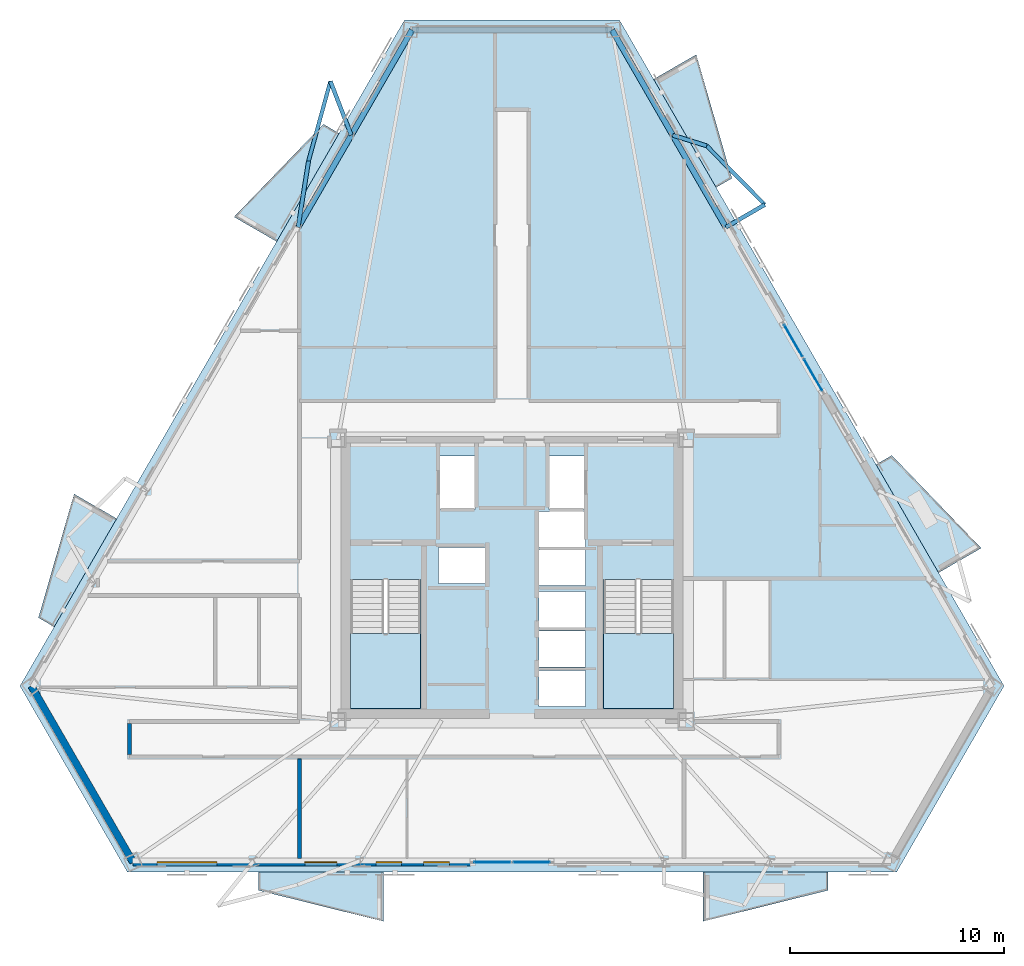
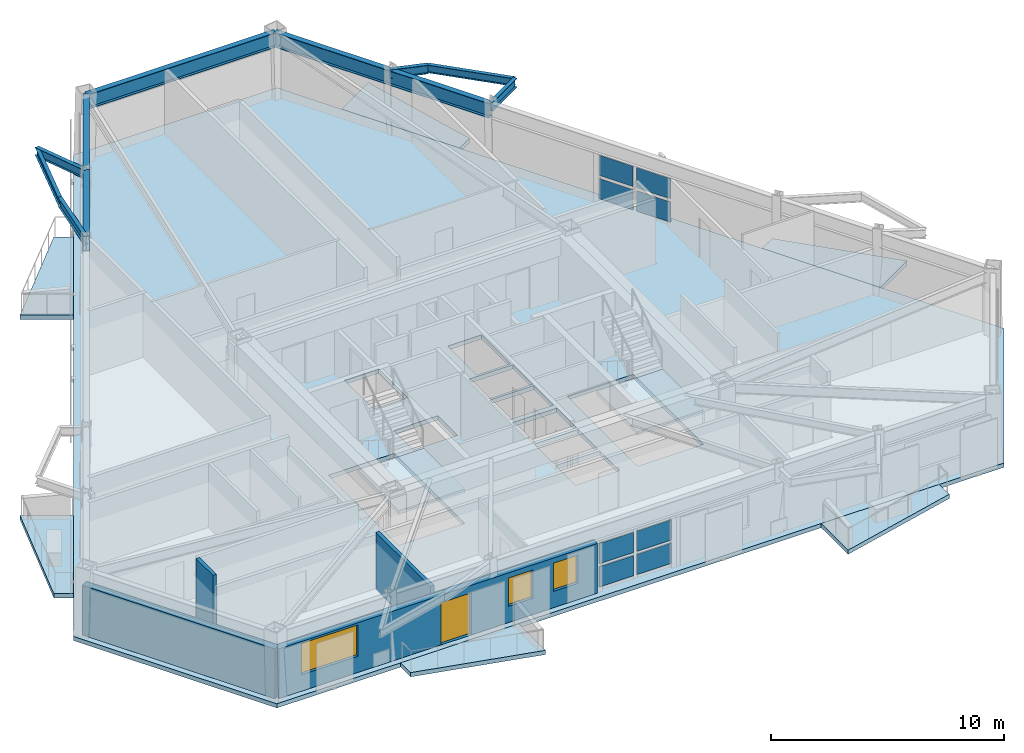
# One storey, part 6 of 14: 11 beams, 9 slabs, 8 plates, 4 walls, 3 windows, 1 door, 4 openings, 4 elements without a shape of their own.
"""IFC4 building model written with IfcOpenShell, lengths in metres."""

from ifc_helpers import new_model, si_unit, direction, frame, frame_2d, origin, origin_2d, place, context, subcontext, project, spatial, polyline, rectangle, i_section, outline, extrude, material, layer, layer_set, material_profile, profile_set, type_object, element, fill, aggregate, save


model = new_model("IFC4")

# Units and contexts
model_context = context("Model", 3, precision=1e-05, world=origin(), true_north=direction((0.0, 1.0)))
body_context = subcontext(model_context, "Body", "Model", "MODEL_VIEW")
ifc_project = project(units=[si_unit("LENGTHUNIT", "METRE"), si_unit("AREAUNIT", "SQUARE_METRE"), si_unit("VOLUMEUNIT", "CUBIC_METRE"), si_unit("PLANEANGLEUNIT", "RADIAN"), si_unit("MASSUNIT", "GRAM", prefix="KILO")], contexts=[model_context])

# Site, building, storey
site_placement = place(None, origin())
site = spatial("IfcSite", under=ifc_project, at=site_placement, CompositionType="ELEMENT")
building_placement = place(site_placement, origin())
building = spatial("IfcBuilding", under=site, at=building_placement, Name="Oramaril Tower", CompositionType="ELEMENT")
storey_placement = place(building_placement, frame((0.0, 0.0, 149.39990234375)))
storey = spatial("IfcBuildingStorey", under=building, at=storey_placement, Name="L39", CompositionType="ELEMENT", Elevation=149.39990234375)

# Beams
ifc_material_1 = material(Name="Steel ASTM A572 Gr 50", Category="steel")
ifc_material_profile_1 = material_profile(ifc_material_1, i_section(OverallWidth=0.19091796875, OverallDepth=0.45703125, WebThickness=0.009033203125, FlangeThickness=0.014404296875, at=origin_2d()), Name="W18X50")
ifc_profile_set_1 = profile_set([ifc_material_profile_1], Name="Steel ASTM A572 Gr 50")
beam_type_1 = type_object("IfcBeamType", Name="BT-BB1", PredefinedType="BEAM", material=ifc_profile_set_1)
beam_1_placement = place(storey_placement, frame((47.51318359375, 34.088623046875, 3.151611328125), z_axis=(0.864743514745, 0.502213753005, 0.0), x_axis=(-0.502213753005, 0.864743514745, 0.0)))
element("IfcBeam", 1, at=beam_1_placement, inside=storey, type_object=beam_type_1, Name="L39 Balcony Column-Framed Cantilever 04.1", PredefinedType="BEAM", context=body_context, shape_type="SweptSolid", body=[
    extrude(i_section(OverallWidth=0.19091796875, OverallDepth=0.45703125, WebThickness=0.009033203125, FlangeThickness=0.014404296875, at=origin_2d()), origin(), (0.0, 0.0, 1.0), 2.10791015625),
])
beam_2_placement = place(storey_placement, frame((45.025390625, 38.397705078125, 3.151611328125), z_axis=(0.95431294257, -0.298808981864, 0.0), x_axis=(0.298808981864, 0.95431294257, 0.0)))
element("IfcBeam", 2, at=beam_2_placement, inside=storey, type_object=beam_type_1, Name="L39 Balcony Column-Framed Cantilever 04.2", PredefinedType="BEAM", context=body_context, shape_type="SweptSolid", body=[
    extrude(i_section(OverallWidth=0.19091796875, OverallDepth=0.45703125, WebThickness=0.009033203125, FlangeThickness=0.014404296875, at=origin_2d()), origin(), (0.0, 0.0, 1.0), 1.666015625),
])
beam_3_placement = place(storey_placement, frame((29.974609375, 38.397705078125, 3.151611328125), z_axis=(-0.360543726639, 0.932742312314, 0.0), x_axis=(-0.932742312314, -0.360543726639, 0.0)))
element("IfcBeam", 3, at=beam_3_placement, inside=storey, type_object=beam_type_1, Name="L39 Balcony Column-Framed Cantilever 05.1", PredefinedType="BEAM", context=body_context, shape_type="SweptSolid", body=[
    extrude(i_section(OverallWidth=0.19091796875, OverallDepth=0.45703125, WebThickness=0.009033203125, FlangeThickness=0.014404296875, at=origin_2d()), origin(), (0.0, 0.0, 1.0), 2.707275390625),
])
beam_4_placement = place(storey_placement, frame((27.48681640625, 34.088623046875, 3.151611328125), z_axis=(0.15550340131, 0.987835356819, 0.0), x_axis=(-0.987835356819, 0.15550340131, 0.0)))
element("IfcBeam", 4, at=beam_4_placement, inside=storey, type_object=beam_type_1, Name="L39 Balcony Column-Framed Cantilever 05.2", PredefinedType="BEAM", context=body_context, shape_type="SweptSolid", body=[
    extrude(i_section(OverallWidth=0.19091796875, OverallDepth=0.45703125, WebThickness=0.009033203125, FlangeThickness=0.014404296875, at=origin_2d()), origin(), (0.0, 0.0, 1.0), 3.139892578125),
])
ifc_material_2 = material(Name="Steel ASTM A572 Gr 50", Category="steel")
ifc_material_profile_2 = material_profile(ifc_material_2, i_section(OverallWidth=0.177978515625, OverallDepth=0.404052734375, WebThickness=0.007568359375, FlangeThickness=0.010986328125, at=origin_2d()), Name="W16X36")
ifc_profile_set_2 = profile_set([ifc_material_profile_2], Name="Steel ASTM A572 Gr 50")
beam_type_2 = type_object("IfcBeamType", Name="BT-SB1", PredefinedType="BEAM", material=ifc_profile_set_2)
beam_5_placement = place(storey_placement, frame((49.3359375, 35.147216796875, 3.177978515625), z_axis=(-0.702962973102, 0.711226446673, 0.0), x_axis=(-0.711226446673, -0.702962973102, 0.0)))
element("IfcBeam", 5, at=beam_5_placement, inside=storey, type_object=beam_type_2, Name="L39 Balcony Edge Tie Beam 04", PredefinedType="BEAM", context=body_context, shape_type="SweptSolid", body=[
    extrude(i_section(OverallWidth=0.177978515625, OverallDepth=0.404052734375, WebThickness=0.007568359375, FlangeThickness=0.010986328125, at=origin_2d()), origin(), (0.0, 0.0, 1.0), 3.870361328125),
])
beam_6_placement = place(storey_placement, frame((28.99853515625, 40.9228515625, 3.177978515625), z_axis=(-0.264440915482, -0.964401888332, 0.0), x_axis=(0.964401888332, -0.264440915482, 0.0)))
element("IfcBeam", 6, at=beam_6_placement, inside=storey, type_object=beam_type_2, Name="L39 Balcony Edge Tie Beam 05", PredefinedType="BEAM", context=body_context, shape_type="SweptSolid", body=[
    extrude(i_section(OverallWidth=0.177978515625, OverallDepth=0.404052734375, WebThickness=0.007568359375, FlangeThickness=0.010986328125, at=origin_2d()), origin(), (0.0, 0.0, 1.0), 3.8701171875),
])
ifc_material_3 = material(Name="Steel ASTM A572 Gr 50", Category="steel")
ifc_material_profile_3 = material_profile(ifc_material_3, i_section(OverallWidth=0.26708984375, OverallDepth=0.77001953125, WebThickness=0.015625, FlangeThickness=0.025390625, at=origin_2d()), Name="W30X132")
ifc_profile_set_3 = profile_set([ifc_material_profile_3], Name="Steel ASTM A572 Gr 50")
beam_type_3 = type_object("IfcBeamType", Name="BT-SP3", PredefinedType="SPANDREL", material=ifc_profile_set_3)
beam_7_placement = place(storey_placement, frame((47.51318359375, 34.088623046875, 2.9951171875), z_axis=(-0.499991453095, 0.866030338286, 0.0), x_axis=(-0.866030338286, -0.499991453095, 0.0)))
element("IfcBeam", 7, at=beam_7_placement, inside=storey, type_object=beam_type_3, Name="L39 Perimeter Spandrel 11", PredefinedType="SPANDREL", context=body_context, shape_type="SweptSolid", body=[
    extrude(i_section(OverallWidth=0.26708984375, OverallDepth=0.77001953125, WebThickness=0.015625, FlangeThickness=0.025390625, at=origin_2d()), origin(), (0.0, 0.0, 1.0), 4.9755859375),
])
beam_8_placement = place(storey_placement, frame((45.025390625, 38.397705078125, 2.9951171875), z_axis=(-0.500027212415, 0.866009692119, 0.0), x_axis=(-0.866009692119, -0.500027212415, 0.0)))
element("IfcBeam", 8, at=beam_8_placement, inside=storey, type_object=beam_type_3, Name="L39 Perimeter Spandrel 12", PredefinedType="SPANDREL", context=body_context, shape_type="SweptSolid", body=[
    extrude(i_section(OverallWidth=0.26708984375, OverallDepth=0.77001953125, WebThickness=0.015625, FlangeThickness=0.025390625, at=origin_2d()), origin(), (0.0, 0.0, 1.0), 5.686279296875),
])
beam_9_placement = place(storey_placement, frame((42.18212890625, 43.322021484375, 2.9951171875), z_axis=(-1.0, 0.0, 0.0), x_axis=(0.0, -1.0, 0.0)))
element("IfcBeam", 9, at=beam_9_placement, inside=storey, type_object=beam_type_3, Name="L39 Perimeter Spandrel 13", PredefinedType="SPANDREL", context=body_context, shape_type="SweptSolid", body=[
    extrude(i_section(OverallWidth=0.26708984375, OverallDepth=0.77001953125, WebThickness=0.015625, FlangeThickness=0.025390625, at=origin_2d()), origin(), (0.0, 0.0, 1.0), 9.3642578125),
])
beam_10_placement = place(storey_placement, frame((32.81787109375, 43.322021484375, 2.9951171875), z_axis=(-0.500027212415, -0.866009692119, 0.0), x_axis=(0.866009692119, -0.500027212415, 0.0)))
element("IfcBeam", 10, at=beam_10_placement, inside=storey, type_object=beam_type_3, Name="L39 Perimeter Spandrel 14", PredefinedType="SPANDREL", context=body_context, shape_type="SweptSolid", body=[
    extrude(i_section(OverallWidth=0.26708984375, OverallDepth=0.77001953125, WebThickness=0.015625, FlangeThickness=0.025390625, at=origin_2d()), origin(), (0.0, 0.0, 1.0), 5.686279296875),
])
beam_11_placement = place(storey_placement, frame((29.974609375, 38.397705078125, 2.9951171875), z_axis=(-0.499991453095, -0.866030338286, 0.0), x_axis=(0.866030338286, -0.499991453095, 0.0)))
element("IfcBeam", 11, at=beam_11_placement, inside=storey, type_object=beam_type_3, Name="L39 Perimeter Spandrel 15", PredefinedType="SPANDREL", context=body_context, shape_type="SweptSolid", body=[
    extrude(i_section(OverallWidth=0.26708984375, OverallDepth=0.77001953125, WebThickness=0.015625, FlangeThickness=0.025390625, at=origin_2d()), origin(), (0.0, 0.0, 1.0), 4.9755859375),
])

# Curtain wall, plates
ifc_material_4 = material(Name="Anodised Aluminium 6063-T6", Category="aluminium")
ifc_layer_1 = layer(ifc_material_4, 0.179931640625)
ifc_layer_set_1 = layer_set([ifc_layer_1], Name="CWT-SYS3")
curtain_wall_type = type_object("IfcCurtainWallType", Name="CWT-SYS3", PredefinedType="NOTDEFINED", material=ifc_layer_set_1)
curtain_wall_1_placement = place(storey_placement, origin())
curtain_wall_1 = element("IfcCurtainWall", 12, at=curtain_wall_1_placement, inside=storey, type_object=curtain_wall_type, Name="L39 Unitised Curtain Wall CW-3", PredefinedType="NOTDEFINED")
ifc_material_5 = material(Name="Coastal Low-E Insulated Glass", Category="glass")
ifc_layer_2 = layer(ifc_material_5, 0.035888671875)
ifc_layer_set_2 = layer_set([ifc_layer_2], Name="PLT-CWP3")
plate_type = type_object("IfcPlateType", Name="PLT-CWP3", PredefinedType="CURTAIN_PANEL", material=ifc_layer_set_2)
plate_1_placement = place(storey_placement, frame((36.570068359375, 4.356689453125, 0.16015625), z_axis=(0.0, 0.0, 1.0), x_axis=(1.0, 0.0, 0.0)))
plate_1 = element("IfcPlate", 13, at=plate_1_placement, type_object=plate_type, Name="CW-3 panel 1.1", PredefinedType="CURTAIN_PANEL", context=body_context, shape_type="SweptSolid", body=[
    extrude(rectangle(XDim=1.679931640625, YDim=0.035888671875, at=origin_2d()), origin(), (0.0, 0.0, 1.0), 1.06005859375),
])
plate_2_placement = place(storey_placement, frame((36.570068359375, 4.356689453125, 1.380126953125), z_axis=(0.0, 0.0, 1.0), x_axis=(1.0, 0.0, 0.0)))
plate_2 = element("IfcPlate", 14, at=plate_2_placement, type_object=plate_type, Name="CW-3 panel 1.2", PredefinedType="CURTAIN_PANEL", context=body_context, shape_type="SweptSolid", body=[
    extrude(rectangle(XDim=1.679931640625, YDim=0.035888671875, at=origin_2d()), origin(), (0.0, 0.0, 1.0), 1.06005859375),
])
plate_3_placement = place(storey_placement, frame((38.429931640625, 4.356689453125, 0.16015625), z_axis=(0.0, 0.0, 1.0), x_axis=(1.0, 0.0, 0.0)))
plate_3 = element("IfcPlate", 15, at=plate_3_placement, type_object=plate_type, Name="CW-3 panel 2.1", PredefinedType="CURTAIN_PANEL", context=body_context, shape_type="SweptSolid", body=[
    extrude(rectangle(XDim=1.679931640625, YDim=0.035888671875, at=origin_2d()), origin(), (0.0, 0.0, 1.0), 1.06005859375),
])
plate_4_placement = place(storey_placement, frame((38.429931640625, 4.356689453125, 1.380126953125), z_axis=(0.0, 0.0, 1.0), x_axis=(1.0, 0.0, 0.0)))
plate_4 = element("IfcPlate", 16, at=plate_4_placement, type_object=plate_type, Name="CW-3 panel 2.2", PredefinedType="CURTAIN_PANEL", context=body_context, shape_type="SweptSolid", body=[
    extrude(rectangle(XDim=1.679931640625, YDim=0.035888671875, at=origin_2d()), origin(), (0.0, 0.0, 1.0), 1.06005859375),
])
aggregate(curtain_wall_1, [plate_1, plate_2, plate_3, plate_4])

curtain_wall_2_placement = place(storey_placement, origin())
curtain_wall_2 = element("IfcCurtainWall", 17, at=curtain_wall_2_placement, inside=storey, type_object=curtain_wall_type, Name="L39 Unitised Curtain Wall CW-3", PredefinedType="NOTDEFINED")
plate_5_placement = place(storey_placement, frame((51.59912109375, 27.166259765625, 0.16015625), z_axis=(0.0, 0.0, 1.0), x_axis=(-0.499999897278, 0.866025463091, 0.0)))
plate_5 = element("IfcPlate", 18, at=plate_5_placement, type_object=plate_type, Name="CW-3 panel 1.1", PredefinedType="CURTAIN_PANEL", context=body_context, shape_type="SweptSolid", body=[
    extrude(rectangle(XDim=1.679931640625, YDim=0.035888671875, at=origin_2d()), origin(), (0.0, 0.0, 1.0), 1.06005859375),
])
plate_6_placement = place(storey_placement, frame((51.59912109375, 27.166259765625, 1.380126953125), z_axis=(0.0, 0.0, 1.0), x_axis=(-0.499999897278, 0.866025463091, 0.0)))
plate_6 = element("IfcPlate", 19, at=plate_6_placement, type_object=plate_type, Name="CW-3 panel 1.2", PredefinedType="CURTAIN_PANEL", context=body_context, shape_type="SweptSolid", body=[
    extrude(rectangle(XDim=1.679931640625, YDim=0.035888671875, at=origin_2d()), origin(), (0.0, 0.0, 1.0), 1.06005859375),
])
plate_7_placement = place(storey_placement, frame((50.6689453125, 28.777099609375, 0.16015625), z_axis=(0.0, 0.0, 1.0), x_axis=(-0.499999897278, 0.866025463091, 0.0)))
plate_7 = element("IfcPlate", 20, at=plate_7_placement, type_object=plate_type, Name="CW-3 panel 2.1", PredefinedType="CURTAIN_PANEL", context=body_context, shape_type="SweptSolid", body=[
    extrude(rectangle(XDim=1.679931640625, YDim=0.035888671875, at=origin_2d()), origin(), (0.0, 0.0, 1.0), 1.06005859375),
])
plate_8_placement = place(storey_placement, frame((50.6689453125, 28.777099609375, 1.380126953125), z_axis=(0.0, 0.0, 1.0), x_axis=(-0.499999897278, 0.866025463091, 0.0)))
plate_8 = element("IfcPlate", 21, at=plate_8_placement, type_object=plate_type, Name="CW-3 panel 2.2", PredefinedType="CURTAIN_PANEL", context=body_context, shape_type="SweptSolid", body=[
    extrude(rectangle(XDim=1.679931640625, YDim=0.035888671875, at=origin_2d()), origin(), (0.0, 0.0, 1.0), 1.06005859375),
])
aggregate(curtain_wall_2, [plate_5, plate_6, plate_7, plate_8])

# Slabs
ifc_material_6 = material(Name="Concrete C40/50", Category="concrete")
ifc_layer_3 = layer(ifc_material_6, 0.199951171875)
ifc_layer_set_3 = layer_set([ifc_layer_3], Name="SLT-BAL20")
slab_type_1 = type_object("IfcSlabType", Name="SLT-BAL20", PredefinedType="FLOOR", material=ifc_layer_set_3)
slab_1_placement = place(storey_placement, frame((0.0, 0.0, -0.219970703125)))
element("IfcSlab", 22, at=slab_1_placement, inside=storey, type_object=slab_type_1, Name="L39 Cantilevered Balcony Slab L39-BAL-S1", PredefinedType="FLOOR", context=body_context, shape_type="SweptSolid", body=[
    extrude(outline(polyline([(25.623291015625, 3.898681640625), (31.473388671875, 3.898681640625), (31.473388671875, 1.5966796875), (25.623291015625, 3.046875), (25.623291015625, 3.898681640625)])), origin(), (0.0, 0.0, 1.0), 0.219970703125),
])
slab_2_placement = place(storey_placement, frame((0.0, 0.0, -0.219970703125)))
element("IfcSlab", 23, at=slab_2_placement, inside=storey, type_object=slab_type_1, Name="L39 Cantilevered Balcony Slab L39-BAL-NE2", PredefinedType="FLOOR", context=body_context, shape_type="SweptSolid", body=[
    extrude(outline(polyline([(47.054931640625, 35.952880859375), (44.1298828125, 41.01904296875), (46.12353515625, 42.170166015625), (47.792724609375, 36.37890625), (47.054931640625, 35.952880859375)])), origin(), (0.0, 0.0, 1.0), 0.219970703125),
])
slab_3_placement = place(storey_placement, frame((0.0, 0.0, -0.219970703125)))
element("IfcSlab", 24, at=slab_3_placement, inside=storey, type_object=slab_type_1, Name="L39 Cantilevered Balcony Slab L39-BAL-NW1", PredefinedType="FLOOR", context=body_context, shape_type="SweptSolid", body=[
    extrude(outline(polyline([(29.40771484375, 38.486083984375), (26.482666015625, 33.419921875), (24.489013671875, 34.57080078125), (28.669921875, 38.912109375), (29.40771484375, 38.486083984375)])), origin(), (0.0, 0.0, 1.0), 0.219970703125),
])
ifc_material_7 = material(Name="Concrete C50/60", Category="concrete")
ifc_layer_4 = layer(ifc_material_7, 0.219970703125)
ifc_layer_set_4 = layer_set([ifc_layer_4], Name="SLT-FLR22")
slab_type_2 = type_object("IfcSlabType", Name="SLT-FLR22", PredefinedType="FLOOR", material=ifc_layer_set_4)
slab_4_placement = place(storey_placement, frame((0.0, 0.0, -0.219970703125)))
element("IfcSlab", 25, at=slab_4_placement, inside=storey, type_object=slab_type_2, Name="L39 Structural Floor Slab", PredefinedType="FLOOR", context=body_context, shape_type="SweptSolid", body=[
    extrude(outline(polyline([(14.466796875, 12.61181640625), (19.498291015625, 3.896728515625), (55.501708984375, 3.896728515625), (60.533203125, 12.61181640625), (42.531494140625, 43.79150390625), (32.468505859375, 43.79150390625), (14.466796875, 12.61181640625)]), holes=[polyline([(29.949951171875, 17.58935546875), (29.949951171875, 11.550048828125), (33.219970703125, 11.550048828125), (33.219970703125, 17.58935546875), (29.949951171875, 17.58935546875)]), polyline([(41.780029296875, 17.58935546875), (41.780029296875, 11.550048828125), (45.050048828125, 11.550048828125), (45.050048828125, 17.58935546875), (41.780029296875, 17.58935546875)]), polyline([(34.110107421875, 20.909912109375), (35.7900390625, 20.909912109375), (35.7900390625, 23.389892578125), (34.110107421875, 23.389892578125), (34.110107421875, 20.909912109375)]), polyline([(39.2099609375, 20.909912109375), (40.889892578125, 20.909912109375), (40.889892578125, 23.389892578125), (39.2099609375, 23.389892578125), (39.2099609375, 20.909912109375)]), polyline([(38.760009765625, 11.659912109375), (40.93994140625, 11.659912109375), (40.93994140625, 13.340087890625), (38.760009765625, 13.340087890625), (38.760009765625, 11.659912109375)]), polyline([(38.760009765625, 13.510009765625), (40.93994140625, 13.510009765625), (40.93994140625, 15.18994140625), (38.760009765625, 15.18994140625), (38.760009765625, 13.510009765625)]), polyline([(38.760009765625, 15.360107421875), (40.93994140625, 15.360107421875), (40.93994140625, 17.0400390625), (38.760009765625, 17.0400390625), (38.760009765625, 15.360107421875)]), polyline([(34.06005859375, 17.409912109375), (36.239990234375, 17.409912109375), (36.239990234375, 19.090087890625), (34.06005859375, 19.090087890625), (34.06005859375, 17.409912109375)]), polyline([(38.760009765625, 17.31005859375), (40.93994140625, 17.31005859375), (40.93994140625, 18.989990234375), (38.760009765625, 18.989990234375), (38.760009765625, 17.31005859375)]), polyline([(38.760009765625, 19.110107421875), (40.93994140625, 19.110107421875), (40.93994140625, 20.7900390625), (38.760009765625, 20.7900390625), (38.760009765625, 19.110107421875)])]), origin(), (0.0, 0.0, 1.0), 0.219970703125),
])

# Stair, slab
ifc_material_8 = material(Name="Concrete C50/60", Category="concrete")
stair_type = type_object("IfcStairType", Name="STT-DG-3600", PredefinedType="HALF_TURN_STAIR", material=ifc_material_8)
stair_1_placement = place(storey_placement, origin())
stair_1 = element("IfcStair", 26, at=stair_1_placement, inside=storey, type_object=stair_type, Name="L39 Protected PFP Exit Stair ST-1", PredefinedType="HALF_TURN_STAIR")
ifc_material_9 = material(Name="Concrete C50/60", Category="concrete")
ifc_layer_5 = layer(ifc_material_9, 0.199951171875)
ifc_layer_set_5 = layer_set([ifc_layer_5], Name="SLT-LND20")
slab_type_3 = type_object("IfcSlabType", Name="SLT-LND20", PredefinedType="LANDING", material=ifc_layer_set_5)
slab_5_placement = place(storey_placement, frame((0.0, 0.0, 1.60009765625)))
slab_5 = element("IfcSlab", 27, at=slab_5_placement, type_object=slab_type_3, Name="ST-1 landing 1", PredefinedType="LANDING", context=body_context, shape_type="SweptSolid", body=[
    extrude(outline(polyline([(29.949951171875, 15.070068359375), (29.949951171875, 11.550048828125), (33.219970703125, 11.550048828125), (33.219970703125, 15.070068359375), (29.949951171875, 15.070068359375)])), origin(), (0.0, 0.0, 1.0), 0.199951171875),
])
aggregate(stair_1, [slab_5])

stair_2_placement = place(storey_placement, origin())
stair_2 = element("IfcStair", 28, at=stair_2_placement, inside=storey, type_object=stair_type, Name="L39 Protected PFP Exit Stair ST-2", PredefinedType="HALF_TURN_STAIR")
slab_6_placement = place(storey_placement, frame((0.0, 0.0, 1.60009765625)))
slab_6 = element("IfcSlab", 29, at=slab_6_placement, type_object=slab_type_3, Name="ST-2 landing 1", PredefinedType="LANDING", context=body_context, shape_type="SweptSolid", body=[
    extrude(outline(polyline([(41.780029296875, 15.070068359375), (41.780029296875, 11.550048828125), (45.050048828125, 11.550048828125), (45.050048828125, 15.070068359375), (41.780029296875, 15.070068359375)])), origin(), (0.0, 0.0, 1.0), 0.199951171875),
])
aggregate(stair_2, [slab_6])

# Slabs
ifc_material_10 = material(Name="Concrete C40/50", Category="concrete")
ifc_layer_6 = layer(ifc_material_10, 0.18994140625)
ifc_layer_set_6 = layer_set([ifc_layer_6], Name="SLT-PLN19")
slab_type_4 = type_object("IfcSlabType", Name="SLT-PLN19", PredefinedType="FLOOR", material=ifc_layer_set_6)
slab_7_placement = place(storey_placement, frame((0.0, 0.0, -0.219970703125)))
element("IfcSlab", 30, at=slab_7_placement, inside=storey, type_object=slab_type_4, Name="L39 Tree Planter Balcony Slab L39-BAL-S2", PredefinedType="FLOOR", context=body_context, shape_type="SweptSolid", body=[
    extrude(outline(polyline([(46.45166015625, 3.898681640625), (52.301513671875, 3.898681640625), (52.301513671875, 3.046875), (46.45166015625, 1.5966796875), (46.45166015625, 3.898681640625)])), origin(), (0.0, 0.0, 1.0), 0.219970703125),
])
slab_8_placement = place(storey_placement, frame((0.0, 0.0, -0.219970703125)))
element("IfcSlab", 31, at=slab_8_placement, inside=storey, type_object=slab_type_4, Name="L39 Tree Planter Balcony Slab L39-BAL-NE1", PredefinedType="FLOOR", context=body_context, shape_type="SweptSolid", body=[
    extrude(outline(polyline([(57.468994140625, 17.915283203125), (54.5439453125, 22.9814453125), (55.28173828125, 23.407470703125), (59.462646484375, 19.066162109375), (57.468994140625, 17.915283203125)])), origin(), (0.0, 0.0, 1.0), 0.219970703125),
])
slab_9_placement = place(storey_placement, frame((0.0, 0.0, -0.219970703125)))
element("IfcSlab", 32, at=slab_9_placement, inside=storey, type_object=slab_type_4, Name="L39 Tree Planter Balcony Slab L39-BAL-NW2", PredefinedType="FLOOR", context=body_context, shape_type="SweptSolid", body=[
    extrude(outline(polyline([(18.993408203125, 20.4482421875), (16.068603515625, 15.382080078125), (15.330810546875, 15.80810546875), (17.0, 21.599365234375), (18.993408203125, 20.4482421875)])), origin(), (0.0, 0.0, 1.0), 0.219970703125),
])

# Wall
ifc_material_11 = material(Name="Warm Cream Limestone", Category="masonry")
ifc_layer_7 = layer(ifc_material_11, 0.340087890625)
ifc_layer_set_7 = layer_set([ifc_layer_7], Name="WT-EXT34")
wall_type_1 = type_object("IfcWallType", Name="WT-EXT34", PredefinedType="SOLIDWALL", material=ifc_layer_set_7)
wall_1_placement = place(storey_placement, frame((14.998046875, 12.61181640625, 0.0), z_axis=(0.0, 0.0, 1.0), x_axis=(0.499981853705, -0.866035880299, 0.0)))
element("IfcWall", 33, at=wall_1_placement, inside=storey, type_object=wall_type_1, Name="L39 Tower Limestone Facade Wall 1M", PredefinedType="SOLIDWALL", context=body_context, shape_type="SweptSolid", body=[
    extrude(rectangle(XDim=9.531982421875, YDim=0.340087890625, at=frame_2d((4.76611328125, 0.0))), origin(), (0.0, 0.0, 1.0), 2.60009765625),
])

# Wall, openings, door, windows
wall_2_placement = place(storey_placement, frame((19.763916015625, 4.356689453125, 0.0), z_axis=(0.0, 0.0, 1.0), x_axis=(1.0, 0.0, 0.0)))
wall_2 = element("IfcWall", 34, at=wall_2_placement, inside=storey, type_object=wall_type_1, Name="L39 Tower Limestone Facade Wall 2L", PredefinedType="SOLIDWALL", context=body_context, shape_type="SweptSolid", body=[
    extrude(rectangle(XDim=15.7861328125, YDim=0.340087890625, at=frame_2d((7.89306640625, 0.0))), origin(), (0.0, 0.0, 1.0), 2.60009765625),
])
opening_1_placement = place(wall_2_placement, frame((8.034423828125, 0.0, 0.0)))
opening_1 = element("IfcOpeningElement", 35, at=opening_1_placement, cuts=wall_2, Name="Opening D-L39-BAL-S1", PredefinedType="OPENING", context=body_context, shape_type="SweptSolid", body=[
    extrude(rectangle(XDim=1.5, YDim=2.199951171875, at=frame_2d((0.75, 1.10009765625))), frame((0.0, 0.169921875, 0.0), z_axis=(0.0, -1.0, 0.0), x_axis=(1.0, 0.0, 0.0)), (0.0, 0.0, 1.0), 0.340087890625),
])
opening_2_placement = place(wall_2_placement, frame((13.60400390625, 0.0, 0.85009765625)))
opening_2 = element("IfcOpeningElement", 36, at=opening_2_placement, cuts=wall_2, Name="Opening WN-09", PredefinedType="OPENING", context=body_context, shape_type="SweptSolid", body=[
    extrude(rectangle(XDim=1.199951171875, YDim=1.47998046875, at=frame_2d((0.60009765625, 0.739990234375))), frame((0.0, 0.169921875, 0.0), z_axis=(0.0, -1.0, 0.0), x_axis=(1.0, 0.0, 0.0)), (0.0, 0.0, 1.0), 0.340087890625),
])
opening_3_placement = place(wall_2_placement, frame((11.373046875, 0.0, 0.85009765625)))
opening_3 = element("IfcOpeningElement", 37, at=opening_3_placement, cuts=wall_2, Name="Opening WN-09", PredefinedType="OPENING", context=body_context, shape_type="SweptSolid", body=[
    extrude(rectangle(XDim=1.199951171875, YDim=1.47998046875, at=frame_2d((0.60009765625, 0.739990234375))), frame((0.0, 0.169921875, 0.0), z_axis=(0.0, -1.0, 0.0), x_axis=(1.0, 0.0, 0.0)), (0.0, 0.0, 1.0), 0.340087890625),
])
opening_4_placement = place(wall_2_placement, frame((1.1220703125, 0.0, 0.85009765625)))
opening_4 = element("IfcOpeningElement", 38, at=opening_4_placement, cuts=wall_2, Name="Opening WN-01", PredefinedType="OPENING", context=body_context, shape_type="SweptSolid", body=[
    extrude(rectangle(XDim=2.800048828125, YDim=1.639892578125, at=frame_2d((1.39990234375, 0.81982421875))), frame((0.0, 0.169921875, 0.0), z_axis=(0.0, -1.0, 0.0), x_axis=(1.0, 0.0, 0.0)), (0.0, 0.0, 1.0), 0.340087890625),
])
ifc_material_12 = material(Name="Anodised Aluminium 6063-T6", Category="aluminium")
door_type = type_object("IfcDoorType", Name="DT-BAL", OperationType="NOTDEFINED", PredefinedType="DOOR", material=ifc_material_12)
door_placement = place(opening_1_placement, origin())
door = element("IfcDoor", 39, at=door_placement, inside=storey, type_object=door_type, Name="L39 Balcony Glazed Door L39-BAL-S1", OperationType="SINGLE_SWING_RIGHT", OverallHeight=2.199951171875, OverallWidth=1.5, PredefinedType="DOOR", context=body_context, shape_type="SweptSolid", body=[
    extrude(rectangle(XDim=1.5, YDim=2.199951171875, at=frame_2d((0.75, 1.10009765625))), frame((0.0, 0.02490234375, 0.0), z_axis=(0.0, -1.0, 0.0), x_axis=(1.0, 0.0, 0.0)), (0.0, 0.0, 1.0), 0.050048828125),
])
fill(opening_1, door)
ifc_material_13 = material(Name="Coastal Low-E Insulated Glass", Category="glass")
window_type_1 = type_object("IfcWindowType", Name="WNT-01", PartitioningType="SINGLE_PANEL", PredefinedType="WINDOW", material=ifc_material_13)
window_1_placement = place(opening_4_placement, origin())
window_1 = element("IfcWindow", 40, at=window_1_placement, inside=storey, type_object=window_type_1, Name="L39 Chicago Bay Window WN-01", OverallHeight=1.639892578125, OverallWidth=2.800048828125, PartitioningType="SINGLE_PANEL", PredefinedType="WINDOW", context=body_context, shape_type="SweptSolid", body=[
    extrude(rectangle(XDim=2.800048828125, YDim=1.639892578125, at=frame_2d((1.39990234375, 0.81982421875))), frame((0.0, 0.030029296875, 0.0), z_axis=(0.0, -1.0, 0.0), x_axis=(1.0, 0.0, 0.0)), (0.0, 0.0, 1.0), 0.06005859375),
])
fill(opening_4, window_1)
ifc_material_14 = material(Name="Coastal Low-E Insulated Glass", Category="glass")
window_type_2 = type_object("IfcWindowType", Name="WNT-09", PartitioningType="SINGLE_PANEL", PredefinedType="WINDOW", material=ifc_material_14)
window_2_placement = place(opening_2_placement, origin())
window_2 = element("IfcWindow", 41, at=window_2_placement, inside=storey, type_object=window_type_2, Name="L39 Chicago Bay Window WN-09", OverallHeight=1.47998046875, OverallWidth=1.199951171875, PartitioningType="SINGLE_PANEL", PredefinedType="WINDOW", context=body_context, shape_type="SweptSolid", body=[
    extrude(rectangle(XDim=1.199951171875, YDim=1.47998046875, at=frame_2d((0.60009765625, 0.739990234375))), frame((0.0, 0.030029296875, 0.0), z_axis=(0.0, -1.0, 0.0), x_axis=(1.0, 0.0, 0.0)), (0.0, 0.0, 1.0), 0.06005859375),
])
fill(opening_2, window_2)
window_3_placement = place(opening_3_placement, origin())
window_3 = element("IfcWindow", 42, at=window_3_placement, inside=storey, type_object=window_type_2, Name="L39 Chicago Bay Window WN-09", OverallHeight=1.47998046875, OverallWidth=1.199951171875, PartitioningType="SINGLE_PANEL", PredefinedType="WINDOW", context=body_context, shape_type="SweptSolid", body=[
    extrude(rectangle(XDim=1.199951171875, YDim=1.47998046875, at=frame_2d((0.60009765625, 0.739990234375))), frame((0.0, 0.030029296875, 0.0), z_axis=(0.0, -1.0, 0.0), x_axis=(1.0, 0.0, 0.0)), (0.0, 0.0, 1.0), 0.06005859375),
])
fill(opening_3, window_3)

# Walls
ifc_material_15 = material(Name="Autoclaved Cellular Concrete Block", Category="concrete")
ifc_layer_8 = layer(ifc_material_15, 0.179931640625)
ifc_layer_set_8 = layer_set([ifc_layer_8], Name="WT-PT18")
wall_type_2 = type_object("IfcWallType", Name="WT-PT18", PredefinedType="PARTITIONING", material=ifc_layer_set_8)
wall_3_placement = place(storey_placement, frame((19.60009765625, 9.39404296875, 0.0), z_axis=(0.0, 0.0, 1.0), x_axis=(0.0, 1.0, 0.0)))
element("IfcWall", 43, at=wall_3_placement, inside=storey, type_object=wall_type_2, Name="L39 Interior Partition PT-18", PredefinedType="PARTITIONING", context=body_context, shape_type="SweptSolid", body=[
    extrude(rectangle(XDim=1.4619140625, YDim=0.179931640625, at=frame_2d((0.73095703125, 0.0))), origin(), (0.0, 0.0, 1.0), 3.380126953125),
])
wall_4_placement = place(storey_placement, frame((27.550048828125, 4.53076171875, 0.0), z_axis=(0.0, 0.0, 1.0), x_axis=(0.0, 1.0, 0.0)))
element("IfcWall", 44, at=wall_4_placement, inside=storey, type_object=wall_type_2, Name="L39 Interior Partition PT-18", PredefinedType="PARTITIONING", context=body_context, shape_type="SweptSolid", body=[
    extrude(rectangle(XDim=4.67529296875, YDim=0.179931640625, at=frame_2d((2.337646484375, 0.0))), origin(), (0.0, 0.0, 1.0), 2.966064453125),
])

save(model, "model.ifc")
